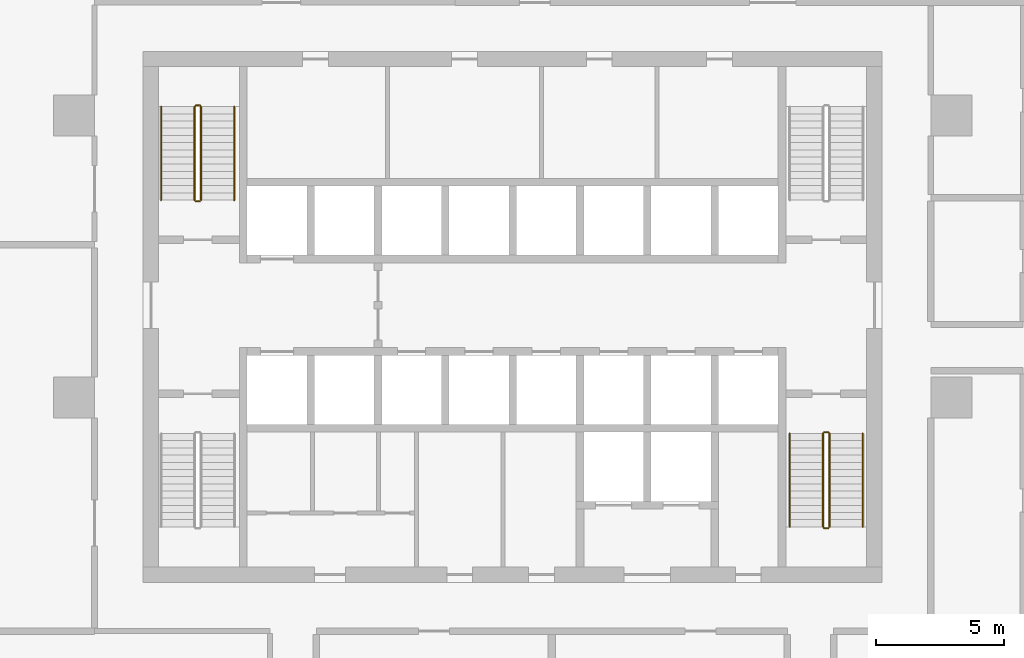
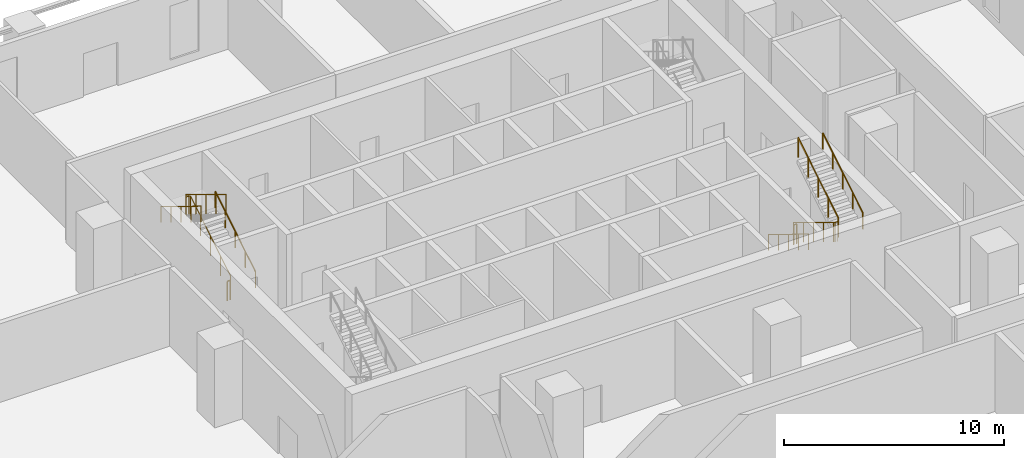
# One storey, part 13 of 15: 10 railings.
"""IFC4 building model written with IfcOpenShell, lengths in metres."""

from ifc_helpers import new_model, si_unit, direction, frame, origin, origin_2d, place, context, subcontext, project, spatial, circle, extrude, material, type_object, element, save


model = new_model("IFC4")

# Units and contexts
model_context = context("Model", 3, precision=1e-05, world=origin(), true_north=direction((0.0, 1.0)))
body_context = subcontext(model_context, "Body", "Model", "MODEL_VIEW")
ifc_project = project(units=[si_unit("LENGTHUNIT", "METRE"), si_unit("AREAUNIT", "SQUARE_METRE"), si_unit("VOLUMEUNIT", "CUBIC_METRE"), si_unit("PLANEANGLEUNIT", "RADIAN"), si_unit("MASSUNIT", "GRAM", prefix="KILO")], contexts=[model_context])

# Site, building, storey
site_placement = place(None, origin())
site = spatial("IfcSite", under=ifc_project, at=site_placement, CompositionType="ELEMENT")
building_placement = place(site_placement, origin())
building = spatial("IfcBuilding", under=site, at=building_placement, Name="Mopane Tessera Tower", CompositionType="ELEMENT")
storey_placement = place(building_placement, frame((0.0, 0.0, 79.0)))
storey = spatial("IfcBuildingStorey", under=building, at=storey_placement, Name="L15", CompositionType="ELEMENT", Elevation=79.0)

# Railings
ifc_material_1 = material(Name="Powder-coated steel balustrade", Category="steel")
railing_type_1 = type_object("IfcRailingType", Name="Escape stair guard 1100 mm", PredefinedType="GUARDRAIL", material=ifc_material_1)
railing_1_placement = place(storey_placement, frame((-12.14990234375, 7.699951171875, 0.17138671875)))
element("IfcRailing", 1, at=railing_1_placement, inside=storey, type_object=railing_type_1, Name="L15 ST2 stair guard 1", PredefinedType="GUARDRAIL", context=body_context, shape_type="SweptSolid", body=[
    extrude(circle(Radius=0.02392578125, at=origin_2d()), frame((0.0, 0.0, 1.076171875), z_axis=(0.0, 0.852865859571, 0.52213008492), x_axis=(-1.0, 0.0, 0.0)), (0.0, 0.0, 1.0), 4.26806640625),
    extrude(circle(Radius=0.02392578125, at=origin_2d()), frame((0.0, 3.64013671875, 3.3046875), z_axis=(-0.708833529934, 0.705375805398, 0.0), x_axis=(-0.705375805398, -0.708833529934, 0.0)), (0.0, 0.0, 1.0), 0.070556640625),
    extrude(circle(Radius=0.02392578125, at=origin_2d()), frame((-0.050048828125, 3.68994140625, 3.3046875), z_axis=(-1.0, 0.0, 0.0), x_axis=(0.0, -1.0, 0.0)), (0.0, 0.0, 1.0), 0.150146484375),
    extrude(circle(Radius=0.02099609375, at=origin_2d()), origin(), (0.0, 0.0, 1.0), 1.052001953125),
    extrude(circle(Radius=0.02099609375, at=origin_2d()), frame((0.0, 0.91015625, 0.55712890625)), (0.0, 0.0, 1.0), 1.052001953125),
    extrude(circle(Radius=0.02099609375, at=origin_2d()), frame((0.0, 1.820068359375, 1.1142578125)), (0.0, 0.0, 1.0), 1.052001953125),
    extrude(circle(Radius=0.02099609375, at=origin_2d()), frame((0.0, 2.72998046875, 1.67138671875)), (0.0, 0.0, 1.0), 1.052001953125),
    extrude(circle(Radius=0.02099609375, at=origin_2d()), frame((0.0, 3.64013671875, 2.228515625)), (0.0, 0.0, 1.0), 1.052001953125),
    extrude(circle(Radius=0.02099609375, at=origin_2d()), frame((-0.050048828125, 3.68994140625, 2.228515625)), (0.0, 0.0, 1.0), 1.052001953125),
    extrude(circle(Radius=0.02099609375, at=origin_2d()), frame((-0.2001953125, 3.68994140625, 2.228515625)), (0.0, 0.0, 1.0), 1.052001953125),
])
railing_2_placement = place(storey_placement, frame((-12.39990234375, 11.340087890625, 2.571533203125)))
element("IfcRailing", 2, at=railing_2_placement, inside=storey, type_object=railing_type_1, Name="L15 ST2 stair guard 2", PredefinedType="GUARDRAIL", context=body_context, shape_type="SweptSolid", body=[
    extrude(circle(Radius=0.02392578125, at=origin_2d()), frame((0.0, 0.0, 1.076171875), z_axis=(0.0, -0.852865859571, 0.52213008492), x_axis=(1.0, 0.0, 0.0)), (0.0, 0.0, 1.0), 4.26806640625),
    extrude(circle(Radius=0.02099609375, at=origin_2d()), origin(), (0.0, 0.0, 1.0), 1.052001953125),
    extrude(circle(Radius=0.02099609375, at=origin_2d()), frame((0.0, -0.91015625, 0.55712890625)), (0.0, 0.0, 1.0), 1.052001953125),
    extrude(circle(Radius=0.02099609375, at=origin_2d()), frame((0.0, -1.820068359375, 1.1142578125)), (0.0, 0.0, 1.0), 1.052001953125),
    extrude(circle(Radius=0.02099609375, at=origin_2d()), frame((0.0, -2.72998046875, 1.67138671875)), (0.0, 0.0, 1.0), 1.052001953125),
    extrude(circle(Radius=0.02099609375, at=origin_2d()), frame((0.0, -3.64013671875, 2.228515625)), (0.0, 0.0, 1.0), 1.052001953125),
])
railing_3_placement = place(storey_placement, frame((-12.199951171875, 7.64990234375, 0.0)))
element("IfcRailing", 3, at=railing_3_placement, inside=storey, type_object=railing_type_1, Name="L15 ST2 stair guard 3", PredefinedType="GUARDRAIL", context=body_context, shape_type="SweptSolid", body=[
    extrude(circle(Radius=0.02392578125, at=origin_2d()), frame((0.0, 0.0, 1.076171875), z_axis=(-1.0, 0.0, 0.0), x_axis=(0.0, -1.0, 0.0)), (0.0, 0.0, 1.0), 0.150146484375),
    extrude(circle(Radius=0.02099609375, at=origin_2d()), origin(), (0.0, 0.0, 1.0), 1.052001953125),
    extrude(circle(Radius=0.02099609375, at=origin_2d()), frame((-0.150146484375, 0.0, 0.0)), (0.0, 0.0, 1.0), 1.052001953125),
])
railing_4_placement = place(storey_placement, frame((12.10009765625, -1.39990234375, 0.17138671875)))
element("IfcRailing", 4, at=railing_4_placement, inside=storey, type_object=railing_type_1, Name="L15 ST3 stair guard 1", PredefinedType="GUARDRAIL", context=body_context, shape_type="SweptSolid", body=[
    extrude(circle(Radius=0.02392578125, at=origin_2d()), frame((0.0, 0.0, 1.076171875), z_axis=(0.0, -0.852865859571, 0.52213008492), x_axis=(1.0, 0.0, 0.0)), (0.0, 0.0, 1.0), 4.26806640625),
    extrude(circle(Radius=0.02392578125, at=origin_2d()), frame((0.0, -3.64013671875, 3.3046875), z_axis=(0.705375805398, -0.708833529934, 0.0), x_axis=(0.708833529934, 0.705375805398, 0.0)), (0.0, 0.0, 1.0), 0.070556640625),
    extrude(circle(Radius=0.02392578125, at=origin_2d()), frame((0.0498046875, -3.690185546875, 3.3046875), z_axis=(1.0, 0.0, 0.0), x_axis=(0.0, 1.0, 0.0)), (0.0, 0.0, 1.0), 0.150146484375),
    extrude(circle(Radius=0.02099609375, at=origin_2d()), origin(), (0.0, 0.0, 1.0), 1.052001953125),
    extrude(circle(Radius=0.02099609375, at=origin_2d()), frame((0.0, -0.91015625, 0.55712890625)), (0.0, 0.0, 1.0), 1.052001953125),
    extrude(circle(Radius=0.02099609375, at=origin_2d()), frame((0.0, -1.820068359375, 1.1142578125)), (0.0, 0.0, 1.0), 1.052001953125),
    extrude(circle(Radius=0.02099609375, at=origin_2d()), frame((0.0, -2.72998046875, 1.67138671875)), (0.0, 0.0, 1.0), 1.052001953125),
    extrude(circle(Radius=0.02099609375, at=origin_2d()), frame((0.0, -3.64013671875, 2.228515625)), (0.0, 0.0, 1.0), 1.052001953125),
    extrude(circle(Radius=0.02099609375, at=origin_2d()), frame((0.0498046875, -3.690185546875, 2.228515625)), (0.0, 0.0, 1.0), 1.052001953125),
    extrude(circle(Radius=0.02099609375, at=origin_2d()), frame((0.199951171875, -3.690185546875, 2.228515625)), (0.0, 0.0, 1.0), 1.052001953125),
])
railing_5_placement = place(storey_placement, frame((12.35009765625, -5.0400390625, 2.571533203125)))
element("IfcRailing", 5, at=railing_5_placement, inside=storey, type_object=railing_type_1, Name="L15 ST3 stair guard 2", PredefinedType="GUARDRAIL", context=body_context, shape_type="SweptSolid", body=[
    extrude(circle(Radius=0.02392578125, at=origin_2d()), frame((0.0, 0.0, 1.076171875), z_axis=(0.0, 0.852865859571, 0.52213008492), x_axis=(-1.0, 0.0, 0.0)), (0.0, 0.0, 1.0), 4.26806640625),
    extrude(circle(Radius=0.02099609375, at=origin_2d()), origin(), (0.0, 0.0, 1.0), 1.052001953125),
    extrude(circle(Radius=0.02099609375, at=origin_2d()), frame((0.0, 0.91015625, 0.55712890625)), (0.0, 0.0, 1.0), 1.052001953125),
    extrude(circle(Radius=0.02099609375, at=origin_2d()), frame((0.0, 1.820068359375, 1.1142578125)), (0.0, 0.0, 1.0), 1.052001953125),
    extrude(circle(Radius=0.02099609375, at=origin_2d()), frame((0.0, 2.72998046875, 1.67138671875)), (0.0, 0.0, 1.0), 1.052001953125),
    extrude(circle(Radius=0.02099609375, at=origin_2d()), frame((0.0, 3.64013671875, 2.228515625)), (0.0, 0.0, 1.0), 1.052001953125),
])
railing_6_placement = place(storey_placement, frame((12.14990234375, -1.35009765625, 0.0)))
element("IfcRailing", 6, at=railing_6_placement, inside=storey, type_object=railing_type_1, Name="L15 ST3 stair guard 3", PredefinedType="GUARDRAIL", context=body_context, shape_type="SweptSolid", body=[
    extrude(circle(Radius=0.02392578125, at=origin_2d()), frame((0.0, 0.0, 1.076171875), z_axis=(1.0, 0.0, 0.0), x_axis=(0.0, 1.0, 0.0)), (0.0, 0.0, 1.0), 0.150146484375),
    extrude(circle(Radius=0.02099609375, at=origin_2d()), origin(), (0.0, 0.0, 1.0), 1.052001953125),
    extrude(circle(Radius=0.02099609375, at=origin_2d()), frame((0.150146484375, 0.0, 0.0)), (0.0, 0.0, 1.0), 1.052001953125),
])
ifc_material_2 = material(Name="Powder-coated steel balustrade", Category="steel")
railing_type_2 = type_object("IfcRailingType", Name="Escape stair handrail 900 mm", PredefinedType="HANDRAIL", material=ifc_material_2)
railing_7_placement = place(storey_placement, frame((-10.85009765625, 7.699951171875, 0.17138671875)))
element("IfcRailing", 7, at=railing_7_placement, inside=storey, type_object=railing_type_2, Name="L15 ST2 stair handrail 1", PredefinedType="HANDRAIL", context=body_context, shape_type="SweptSolid", body=[
    extrude(circle(Radius=0.02392578125, at=origin_2d()), frame((0.0, 0.0, 0.8759765625), z_axis=(0.0, 0.852865859571, 0.52213008492), x_axis=(-1.0, 0.0, 0.0)), (0.0, 0.0, 1.0), 4.26806640625),
    extrude(circle(Radius=0.02099609375, at=origin_2d()), origin(), (0.0, 0.0, 1.0), 0.851806640625),
    extrude(circle(Radius=0.02099609375, at=origin_2d()), frame((0.0, 0.91015625, 0.55712890625)), (0.0, 0.0, 1.0), 0.851806640625),
    extrude(circle(Radius=0.02099609375, at=origin_2d()), frame((0.0, 1.820068359375, 1.1142578125)), (0.0, 0.0, 1.0), 0.851806640625),
    extrude(circle(Radius=0.02099609375, at=origin_2d()), frame((0.0, 2.72998046875, 1.67138671875)), (0.0, 0.0, 1.0), 0.851806640625),
    extrude(circle(Radius=0.02099609375, at=origin_2d()), frame((0.0, 3.64013671875, 2.228515625)), (0.0, 0.0, 1.0), 0.851806640625),
])
for number, where, name in (
    (8, (-13.699951171875, 11.340087890625, 2.571533203125), "L15 ST2 stair handrail 2"),
    (9, (10.800048828125, -1.39990234375, 0.17138671875), "L15 ST3 stair handrail 1"),
):
    element("IfcRailing", number, at=place(storey_placement, frame(where)), inside=storey, type_object=railing_type_2, Name=name, PredefinedType="HANDRAIL", context=body_context, shape_type="SweptSolid", body=[
        extrude(circle(Radius=0.02392578125, at=origin_2d()), frame((0.0, 0.0, 0.8759765625), z_axis=(0.0, -0.852865859571, 0.52213008492), x_axis=(1.0, 0.0, 0.0)), (0.0, 0.0, 1.0), 4.26806640625),
        extrude(circle(Radius=0.02099609375, at=origin_2d()), origin(), (0.0, 0.0, 1.0), 0.851806640625),
        extrude(circle(Radius=0.02099609375, at=origin_2d()), frame((0.0, -0.91015625, 0.55712890625)), (0.0, 0.0, 1.0), 0.851806640625),
        extrude(circle(Radius=0.02099609375, at=origin_2d()), frame((0.0, -1.820068359375, 1.1142578125)), (0.0, 0.0, 1.0), 0.851806640625),
        extrude(circle(Radius=0.02099609375, at=origin_2d()), frame((0.0, -2.72998046875, 1.67138671875)), (0.0, 0.0, 1.0), 0.851806640625),
        extrude(circle(Radius=0.02099609375, at=origin_2d()), frame((0.0, -3.64013671875, 2.228515625)), (0.0, 0.0, 1.0), 0.851806640625),
    ])
railing_8_placement = place(storey_placement, frame((13.64990234375, -5.0400390625, 2.571533203125)))
element("IfcRailing", 10, at=railing_8_placement, inside=storey, type_object=railing_type_2, Name="L15 ST3 stair handrail 2", PredefinedType="HANDRAIL", context=body_context, shape_type="SweptSolid", body=[
    extrude(circle(Radius=0.02392578125, at=origin_2d()), frame((0.0, 0.0, 0.8759765625), z_axis=(0.0, 0.852865859571, 0.52213008492), x_axis=(-1.0, 0.0, 0.0)), (0.0, 0.0, 1.0), 4.26806640625),
    extrude(circle(Radius=0.02099609375, at=origin_2d()), origin(), (0.0, 0.0, 1.0), 0.851806640625),
    extrude(circle(Radius=0.02099609375, at=origin_2d()), frame((0.0, 0.91015625, 0.55712890625)), (0.0, 0.0, 1.0), 0.851806640625),
    extrude(circle(Radius=0.02099609375, at=origin_2d()), frame((0.0, 1.820068359375, 1.1142578125)), (0.0, 0.0, 1.0), 0.851806640625),
    extrude(circle(Radius=0.02099609375, at=origin_2d()), frame((0.0, 2.72998046875, 1.67138671875)), (0.0, 0.0, 1.0), 0.851806640625),
    extrude(circle(Radius=0.02099609375, at=origin_2d()), frame((0.0, 3.64013671875, 2.228515625)), (0.0, 0.0, 1.0), 0.851806640625),
])

save(model, "model.ifc")
